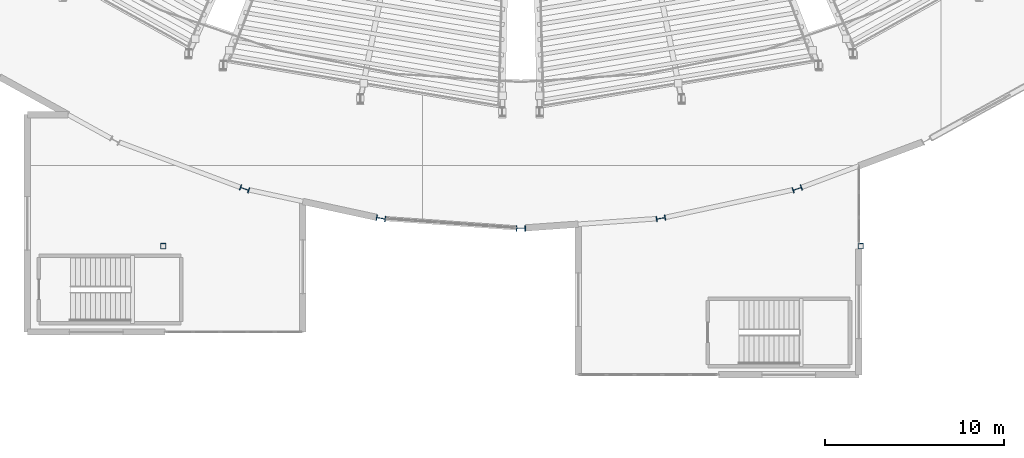
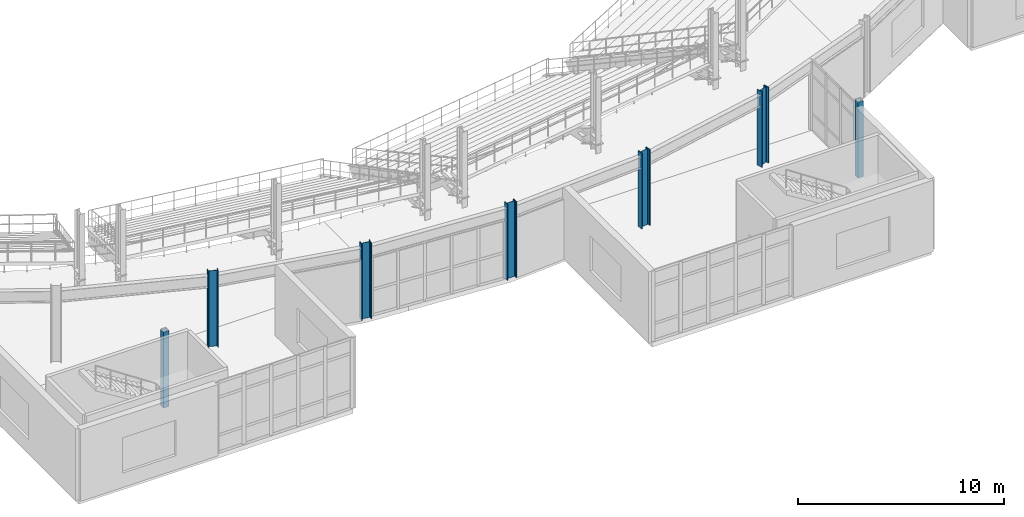
# One storey, part 5 of 81: 7 columns.
"""IFC4 building model written with IfcOpenShell, lengths in metres."""

import ifcopenshell
import ifcopenshell.guid

model = None  # the IFC model being written
_history = None  # IfcOwnerHistory: only IFC2X3 demands one
_inside = {}  # id of a spatial element -> (the spatial element, [elements in it])
_under = {}  # id of a project, library or spatial element -> (it, [spatial elements below it])
_declared = {}  # id of a project -> (the project, [libraries it declares])
_typed = {}  # id of a type object -> (the type object, [elements of that type])
_made_of = {}  # id of a material, layer set ... -> (it, [elements and type objects made of it])


def new_model(schema):
    """Start an empty IFC model of exactly this schema.

    Asked for "IFC4X3", IfcOpenShell would pick the latest addendum, in which some entities
    have other attributes; the version numbers below select the first issue.
    IFC2X3 requires an IfcOwnerHistory on every rooted entity: one is made here for all.
    """
    global model, _history
    if schema == "IFC4X3":
        model = ifcopenshell.file(schema_version=(4, 3, 0, 0))
    else:
        model = ifcopenshell.file(schema=schema)
    _inside.clear()
    _under.clear()
    _declared.clear()
    _typed.clear()
    _made_of.clear()
    _history = None
    if model.schema == "IFC2X3":
        org = make("IfcOrganization", Name="unknown")
        user = make(
            "IfcPersonAndOrganization",
            ThePerson=make("IfcPerson", FamilyName="unknown"),
            TheOrganization=org,
        )
        app = make(
            "IfcApplication",
            ApplicationDeveloper=org,
            Version="unknown",
            ApplicationFullName="unknown",
            ApplicationIdentifier="unknown",
        )
        _history = make(
            "IfcOwnerHistory",
            OwningUser=user,
            OwningApplication=app,
            ChangeAction="ADDED",
            CreationDate=0,
        )
    return model


def make(cls, **values):
    """One entity of the class cls with the attributes given. An attribute that is None is left unset."""
    return model.create_entity(
        cls, **{name: value for name, value in values.items() if value is not None}
    )


def rooted(cls, **values):
    """An entity with a GlobalId (a new one), such as an element, a storey or a relation."""
    return make(cls, GlobalId=ifcopenshell.guid.new(), OwnerHistory=_history, **values)


def si_unit(unit_type, name, prefix=None):
    """IfcSIUnit, for example si_unit("LENGTHUNIT", "METRE", prefix="MILLI")."""
    return make("IfcSIUnit", UnitType=unit_type, Prefix=prefix, Name=name)


def assignment(units):
    """IfcUnitAssignment: the units of a project."""
    return None if units is None else make("IfcUnitAssignment", Units=units)


def point(xyz):
    """IfcCartesianPoint."""
    return None if xyz is None else make("IfcCartesianPoint", Coordinates=xyz)


def direction(xyz):
    """IfcDirection."""
    return None if xyz is None else make("IfcDirection", DirectionRatios=xyz)


def frame(location, z_axis=None, x_axis=None):
    """IfcAxis2Placement3D, a coordinate frame: its origin and axes. An axis left out is left unset."""
    return make(
        "IfcAxis2Placement3D",
        Location=point(location),
        Axis=direction(z_axis),
        RefDirection=direction(x_axis),
    )


def frame_2d(location, x_axis=None):
    """IfcAxis2Placement2D, a coordinate frame in the plane: its origin and x axis."""
    return make(
        "IfcAxis2Placement2D", Location=point(location), RefDirection=direction(x_axis)
    )


def origin():
    """The frame at (0, 0, 0) with its axes left unset."""
    return frame((0.0, 0.0, 0.0))


def origin_2d():
    """The frame at (0, 0) in the plane with its x axis left unset."""
    return frame_2d((0.0, 0.0))


def place(relative_to, where):
    """IfcLocalPlacement: puts the frame where relative to a parent placement (None: the world)."""
    return make(
        "IfcLocalPlacement", PlacementRelTo=relative_to, RelativePlacement=where
    )


def context(
    kind, dimensions, precision=None, world=None, true_north=None, identifier=None
):
    """IfcGeometricRepresentationContext, for example the 3D "Model" context."""
    return make(
        "IfcGeometricRepresentationContext",
        ContextIdentifier=identifier,
        ContextType=kind,
        CoordinateSpaceDimension=dimensions,
        Precision=precision,
        WorldCoordinateSystem=world,
        TrueNorth=true_north,
    )


def subcontext(parent, identifier, kind, view, scale=None):
    """IfcGeometricRepresentationSubContext, for example "Body" below "Model"."""
    return make(
        "IfcGeometricRepresentationSubContext",
        ContextIdentifier=identifier,
        ContextType=kind,
        ParentContext=parent,
        TargetScale=scale,
        TargetView=view,
    )


def project(units=None, contexts=None):
    """IfcProject with its units and contexts."""
    return rooted(
        "IfcProject",
        Name="project",
        RepresentationContexts=contexts,
        UnitsInContext=assignment(units),
    )


def spatial(cls, under=None, at=None, **own):
    """A site, building, storey or space (cls), placed at a placement, below another one or the project."""
    s = rooted(cls, ObjectPlacement=at, **own)
    if under is not None:
        _under.setdefault(under.id(), (under, []))[1].append(s)
    return s


def profile(cls, at=None, kind="AREA", **sizes):
    """A parametric profile (cls). Its sizes go by their IFC names, for example OverallWidth=200.0."""
    return make(cls, ProfileType=kind, Position=at, **sizes)


def hollow_rectangle(**sizes):
    """IfcRectangleHollowProfileDef."""
    return profile("IfcRectangleHollowProfileDef", **sizes)


def i_section(**sizes):
    """IfcIShapeProfileDef."""
    return profile("IfcIShapeProfileDef", **sizes)


def extrude(swept, where, along, depth):
    """IfcExtrudedAreaSolid: the profile swept, set in the frame where, extruded along a direction by depth."""
    return make(
        "IfcExtrudedAreaSolid",
        SweptArea=swept,
        Position=where,
        ExtrudedDirection=direction(along),
        Depth=depth,
    )


def shape(context_of_items, identifier, shape_type, items):
    """IfcShapeRepresentation: the items that make up one representation, for example the "Body"."""
    return make(
        "IfcShapeRepresentation",
        ContextOfItems=context_of_items,
        RepresentationIdentifier=identifier,
        RepresentationType=shape_type,
        Items=items,
    )


def material(Name=None, Category=None):
    """IfcMaterial."""
    return make("IfcMaterial", Name=Name, Category=Category)


def material_profile(
    of_material, cross_section, Name=None, Category=None, Priority=None
):
    """IfcMaterialProfile: a cross section and its material."""
    return make(
        "IfcMaterialProfile",
        Name=Name,
        Material=of_material,
        Profile=cross_section,
        Priority=Priority,
        Category=Category,
    )


def profile_set(profiles, Name=None, composite=None):
    """IfcMaterialProfileSet."""
    return make(
        "IfcMaterialProfileSet",
        Name=Name,
        MaterialProfiles=profiles,
        CompositeProfile=composite,
    )


def made_of(thing, what):
    """Note that an element or type object is made of a material, layer set ...; save() writes the relation."""
    if what is not None:
        _made_of.setdefault(what.id(), (what, []))[1].append(thing)
    return thing


def type_object(cls, material=None, **own):
    """A type object (cls), such as IfcWallType, which elements share."""
    return made_of(rooted(cls, **own), material)


def element(
    cls,
    number,
    at=None,
    inside=None,
    cuts=None,
    type_object=None,
    material=None,
    context=None,
    identifier="Body",
    shape_type=None,
    held_by="IfcProductDefinitionShape",
    body=None,
    shapes=None,
    **own,
):
    """One element of the class cls, such as IfcWall. Its Tag is "e" and its number.

    at: its placement. inside: the storey or other place that contains it. cuts: it is an
    opening in that element (IfcRelVoidsElement). A single representation is given by context,
    identifier, shape_type and body (its items); several are given by shapes. held_by: the class
    of the entity that holds the representations. save() writes the other relations.
    """
    e = rooted(cls, Tag="e%d" % number, ObjectPlacement=at, **own)
    if body is not None:
        shapes = [shape(context, identifier, shape_type, body)]
    if shapes is not None:
        e.Representation = make(held_by, Representations=shapes)
    if inside is not None:
        _inside.setdefault(inside.id(), (inside, []))[1].append(e)
    if cuts is not None:
        rooted(
            "IfcRelVoidsElement", RelatingBuildingElement=cuts, RelatedOpeningElement=e
        )
    if type_object is not None:
        _typed.setdefault(type_object.id(), (type_object, []))[1].append(e)
    return made_of(e, material)


def aggregate(whole, parts):
    """IfcRelAggregates: a whole, such as a stair, and the parts it consists of."""
    return rooted("IfcRelAggregates", RelatingObject=whole, RelatedObjects=parts)


def save(model, path):
    """Write the relations noted so far, then the file.

    IfcRelAggregates (storeys below a building ...), IfcRelContainedInSpatialStructure (elements
    in a storey), IfcRelDefinesByType, IfcRelAssociatesMaterial and IfcRelDeclares: one each for
    every whole, place, type object, material and project.
    """
    for whole, parts in _under.values():
        aggregate(whole, parts)
    for where, things in _inside.values():
        rooted(
            "IfcRelContainedInSpatialStructure",
            RelatedElements=things,
            RelatingStructure=where,
        )
    for kind, things in _typed.values():
        rooted("IfcRelDefinesByType", RelatedObjects=things, RelatingType=kind)
    for what, things in _made_of.values():
        rooted("IfcRelAssociatesMaterial", RelatedObjects=things, RelatingMaterial=what)
    for by, libraries in _declared.values():
        rooted("IfcRelDeclares", RelatingContext=by, RelatedDefinitions=libraries)
    model.write(path)


model = new_model("IFC4")

# Units and contexts
model_context = context("Model", 3, precision=1e-05, world=origin(), true_north=direction((0.0, 1.0)))
body_context = subcontext(model_context, "Body", "Model", "MODEL_VIEW")
ifc_project = project(units=[si_unit("LENGTHUNIT", "METRE"), si_unit("AREAUNIT", "SQUARE_METRE"), si_unit("VOLUMEUNIT", "CUBIC_METRE"), si_unit("PLANEANGLEUNIT", "RADIAN"), si_unit("MASSUNIT", "GRAM", prefix="KILO")], contexts=[model_context])

# Site, building, storey
site_placement = place(None, origin())
site = spatial("IfcSite", under=ifc_project, at=site_placement, CompositionType="ELEMENT")
building_placement = place(site_placement, origin())
building = spatial("IfcBuilding", under=site, at=building_placement, Name="Glasvene Arena", CompositionType="ELEMENT")
storey_placement = place(building_placement, frame((0.0, 0.0, 15.0)))
storey = spatial("IfcBuildingStorey", under=building, at=storey_placement, Name="L03", CompositionType="ELEMENT", Elevation=15.0)

# Columns
ifc_material = material(Name="Steel S355J2", Category="steel")
ifc_material_profile_1 = material_profile(ifc_material, i_section(OverallWidth=0.305908203125, OverallDepth=0.52392578125, WebThickness=0.02099609375, FlangeThickness=0.0400390625, FilletRadius=0.027099609375, at=origin_2d()), Name="HEM 500")
ifc_profile_set_1 = profile_set([ifc_material_profile_1], Name="Steel S355J2")
column_type_1 = type_object("IfcColumnType", Name="COL-RING-HEM500", PredefinedType="COLUMN", material=ifc_profile_set_1)
for number, where, z_axis, x_axis, name in (
    (1, (76.54931640625, 30.202392578125, 0.0), (0.0, 0.0, 1.0), (-0.339558864524, -0.94058480613, 0.0), "Bowl ring column R29 L03"),
    (2, (84.17822265625, 28.553955078125, 0.0), (0.0, 0.0, 1.0), (-0.173304404339, -0.984868307662, 0.0), "Bowl ring column R30 L03"),
    (3, (92.0, 28.0, 0.0), (0.0, 0.0, 1.0), (0.0, -1.0, 0.0), "Bowl ring column R31 L03"),
    (4, (99.82177734375, 28.553955078125, 0.0), (0.0, 0.0, 1.0), (0.173304404339, -0.984868307662, 0.0), "Bowl ring column R32 L03"),
    (5, (107.45068359375, 30.202392578125, 0.0), (0.0, 0.0, 1.0), (0.339558864524, -0.94058480613, 0.0), "Bowl ring column R33 L03"),
):
    element("IfcColumn", number, at=place(storey_placement, frame(where, z_axis=z_axis, x_axis=x_axis)), inside=storey, type_object=column_type_1, Name=name, PredefinedType="COLUMN", context=body_context, shape_type="SweptSolid", body=[
        extrude(i_section(OverallWidth=0.305908203125, OverallDepth=0.52392578125, WebThickness=0.02099609375, FlangeThickness=0.0400390625, FilletRadius=0.027099609375, at=origin_2d()), origin(), (0.0, 0.0, 1.0), 4.5),
    ])
ifc_material_profile_2 = material_profile(ifc_material, hollow_rectangle(XDim=0.300048828125, YDim=0.300048828125, WallThickness=0.012451171875, at=origin_2d()), Name="SHS 300x300x12.5")
ifc_profile_set_2 = profile_set([ifc_material_profile_2], Name="Steel S355J2")
column_type_2 = type_object("IfcColumnType", Name="COL-W-SHS300", PredefinedType="COLUMN", material=ifc_profile_set_2)
for number, where, z_axis, x_axis, name in (
    (6, (72.0, 27.0, 0.0), (0.0, 0.0, 1.0), (1.0, 0.0, 0.0), "Grid column 9-4 L03"),
    (7, (111.0, 27.0, 0.0), (0.0, 0.0, 1.0), (1.0, 0.0, 0.0), "Grid column 13-4 L03"),
):
    element("IfcColumn", number, at=place(storey_placement, frame(where, z_axis=z_axis, x_axis=x_axis)), inside=storey, type_object=column_type_2, Name=name, PredefinedType="COLUMN", context=body_context, shape_type="SweptSolid", body=[
        extrude(hollow_rectangle(XDim=0.300048828125, YDim=0.300048828125, WallThickness=0.012451171875, at=origin_2d()), origin(), (0.0, 0.0, 1.0), 4.5),
    ])

save(model, "model.ifc")
